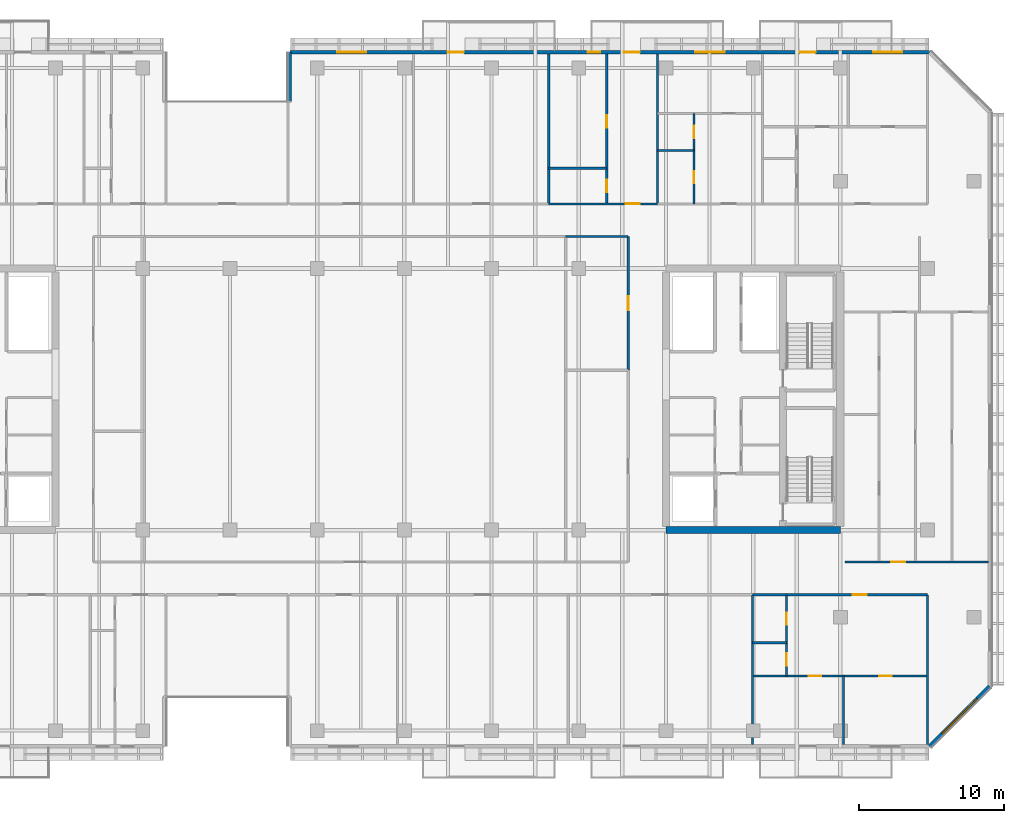
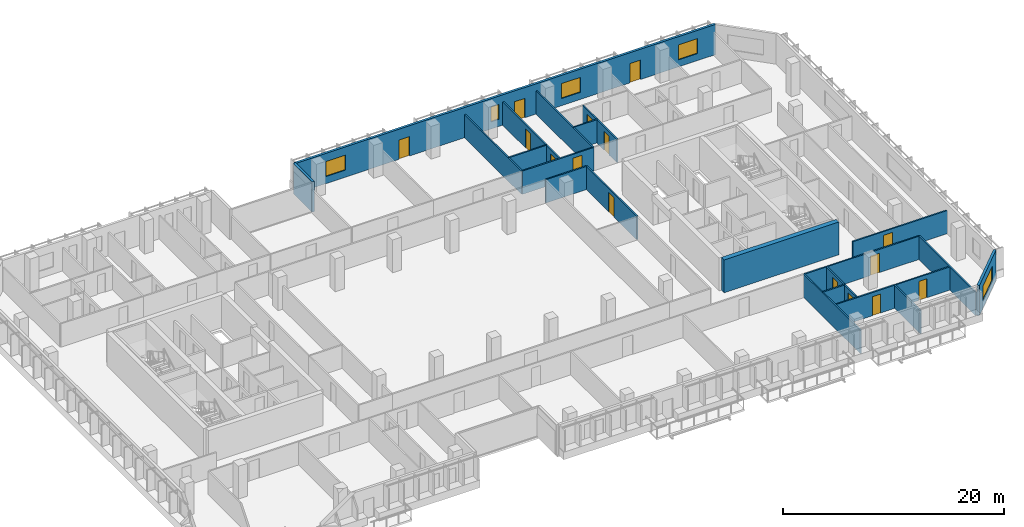
# One storey, part 14 of 23: 21 walls, 15 doors, 5 windows, 20 openings.
"""IFC4 building model written with IfcOpenShell, lengths in metres."""

from ifc_helpers import new_model, si_unit, direction, frame, frame_2d, origin, place, context, subcontext, project, spatial, rectangle, extrude, material, layer, layer_set, type_object, element, fill, save


model = new_model("IFC4")

# Units and contexts
model_context = context("Model", 3, precision=1e-05, world=origin(), true_north=direction((0.0, 1.0)))
body_context = subcontext(model_context, "Body", "Model", "MODEL_VIEW")
ifc_project = project(units=[si_unit("LENGTHUNIT", "METRE"), si_unit("AREAUNIT", "SQUARE_METRE"), si_unit("VOLUMEUNIT", "CUBIC_METRE"), si_unit("PLANEANGLEUNIT", "RADIAN"), si_unit("MASSUNIT", "GRAM", prefix="KILO")], contexts=[model_context])

# Site, building, storey
site_placement = place(None, origin())
site = spatial("IfcSite", under=ifc_project, at=site_placement, CompositionType="ELEMENT")
building_placement = place(site_placement, origin())
building = spatial("IfcBuilding", under=site, at=building_placement, Name="Tanjung Sevakor Pilgrim Tower", CompositionType="ELEMENT")
storey_placement = place(building_placement, frame((0.0, 0.0, 119.4599609375)))
storey = spatial("IfcBuildingStorey", under=building, at=storey_placement, Name="L33", CompositionType="ELEMENT", Elevation=119.4599609375)

# Walls
ifc_material_1 = material(Name="Concrete C60/75", Category="concrete")
ifc_layer_1 = layer(ifc_material_1, 0.5)
ifc_layer_set_1 = layer_set([ifc_layer_1], Name="WALL-CW-500")
wall_type_1 = type_object("IfcWallType", Name="WALL-CW-500", PredefinedType="SHEAR", material=ifc_layer_set_1)
wall_1_placement = place(storey_placement, frame((78.0, 24.60009765625, 0.0), z_axis=(0.0, 0.0, 1.0), x_axis=(1.0, 0.0, 0.0)))
element("IfcWall", 1, at=wall_1_placement, inside=storey, type_object=wall_type_1, Name="L33 E Core South Shear Wall", PredefinedType="SHEAR", context=body_context, shape_type="SweptSolid", body=[
    extrude(rectangle(XDim=12.0, YDim=0.5, at=frame_2d((6.0, 0.0))), origin(), (0.0, 0.0, 1.0), 3.630126953125),
])
ifc_material_2 = material(Name="Concrete C40/50", Category="concrete")
ifc_layer_2 = layer(ifc_material_2, 0.14990234375)
ifc_layer_set_2 = layer_set([ifc_layer_2], Name="WT-COMP-150")
wall_type_2 = type_object("IfcWallType", Name="WT-COMP-150", PredefinedType="SOLIDWALL", material=ifc_layer_set_2)
wall_2_placement = place(storey_placement, frame((71.10009765625, 44.800048828125, 0.0), z_axis=(0.0, 0.0, 1.0), x_axis=(1.0, 0.0, 0.0)))
element("IfcWall", 2, at=wall_2_placement, inside=storey, type_object=wall_type_2, Name="L33 Partition IW-L33-037", PredefinedType="SOLIDWALL", context=body_context, shape_type="SweptSolid", body=[
    extrude(rectangle(XDim=4.2998046875, YDim=0.14990234375, at=frame_2d((2.14990234375, 0.0))), origin(), (0.0, 0.0, 1.0), 2.570068359375),
])

# Wall, opening, door
wall_3_placement = place(storey_placement, frame((75.39990234375, 35.60009765625, 0.0), z_axis=(0.0, 0.0, 1.0), x_axis=(0.0, 1.0, 0.0)))
wall_3 = element("IfcWall", 3, at=wall_3_placement, inside=storey, type_object=wall_type_2, Name="L33 Partition IW-L33-038", PredefinedType="SOLIDWALL", context=body_context, shape_type="SweptSolid", body=[
    extrude(rectangle(XDim=9.199951171875, YDim=0.14990234375, at=frame_2d((4.60009765625, 0.0))), origin(), (0.0, 0.0, 1.0), 2.570068359375),
])
opening_1_placement = place(wall_3_placement, frame((4.125, 0.0, 0.0)))
opening_1 = element("IfcOpeningElement", 4, at=opening_1_placement, cuts=wall_3, Name="Opening ID-RM1", PredefinedType="OPENING", context=body_context, shape_type="SweptSolid", body=[
    extrude(rectangle(XDim=0.949951171875, YDim=2.14990234375, at=frame_2d((0.47509765625, 1.074951171875))), frame((0.0, 0.0849609375, 0.0), z_axis=(0.0, -1.0, 0.0), x_axis=(1.0, 0.0, 0.0)), (0.0, 0.0, 1.0), 0.169921875),
])
ifc_material_3 = material(Name="Hardwood Timber", Category="wood")
door_type_1 = type_object("IfcDoorType", Name="DT-INT-950", OperationType="NOTDEFINED", PredefinedType="DOOR", material=ifc_material_3)
door_1_placement = place(opening_1_placement, origin())
door_1 = element("IfcDoor", 5, at=door_1_placement, inside=storey, type_object=door_type_1, Name="L33 Female Washroom Door", OperationType="SINGLE_SWING_LEFT", OverallHeight=2.14990234375, OverallWidth=0.949951171875, PredefinedType="DOOR", context=body_context, shape_type="SweptSolid", body=[
    extrude(rectangle(XDim=0.949951171875, YDim=2.14990234375, at=frame_2d((0.47509765625, 1.074951171875))), frame((0.0, 0.02490234375, 0.0), z_axis=(0.0, -1.0, 0.0), x_axis=(1.0, 0.0, 0.0)), (0.0, 0.0, 1.0), 0.050048828125),
])
fill(opening_1, door_1)

wall_4_placement = place(storey_placement, frame((90.320068359375, 22.39990234375, 0.0), z_axis=(0.0, 0.0, 1.0), x_axis=(1.0, 0.0, 0.0)))
wall_4 = element("IfcWall", 6, at=wall_4_placement, inside=storey, type_object=wall_type_2, Name="L33 Partition IW-L33-046", PredefinedType="SOLIDWALL", context=body_context, shape_type="SweptSolid", body=[
    extrude(rectangle(XDim=9.869873046875, YDim=0.14990234375, at=frame_2d((4.93505859375, 0.0))), origin(), (0.0, 0.0, 1.0), 2.570068359375),
])
opening_2_placement = place(wall_4_placement, frame((3.193359375, 0.0, 0.0)))
opening_2 = element("IfcOpeningElement", 7, at=opening_2_placement, cuts=wall_4, Name="Opening ID-FD2", PredefinedType="OPENING", context=body_context, shape_type="SweptSolid", body=[
    extrude(rectangle(XDim=0.949951171875, YDim=2.14990234375, at=frame_2d((0.47509765625, 1.074951171875))), frame((0.0, 0.0849609375, 0.0), z_axis=(0.0, -1.0, 0.0), x_axis=(1.0, 0.0, 0.0)), (0.0, 0.0, 1.0), 0.169921875),
])
ifc_material_4 = material(Name="Fire-Rated Timber", Category="wood")
door_type_2 = type_object("IfcDoorType", Name="DT-FIRE-950", OperationType="NOTDEFINED", PredefinedType="DOOR", material=ifc_material_4)
door_2_placement = place(opening_2_placement, origin())
door_2 = element("IfcDoor", 8, at=door_2_placement, inside=storey, type_object=door_type_2, Name="Suite Entrance", OperationType="SINGLE_SWING_LEFT", OverallHeight=2.14990234375, OverallWidth=0.949951171875, PredefinedType="DOOR", context=body_context, shape_type="SweptSolid", body=[
    extrude(rectangle(XDim=0.949951171875, YDim=2.14990234375, at=frame_2d((0.47509765625, 1.074951171875))), frame((0.0, 0.02490234375, 0.0), z_axis=(0.0, -1.0, 0.0), x_axis=(1.0, 0.0, 0.0)), (0.0, 0.0, 1.0), 0.050048828125),
])
fill(opening_2, door_2)

# Walls
for number, where, z_axis, x_axis, name in (
    (9, (96.0, 9.85009765625, 0.0), (0.0, 0.0, 1.0), (0.0, 1.0, 0.0), "L33 Partition IW-L33-061"),
    (10, (83.948486328125, 9.85009765625, 0.0), (0.0, 0.0, 1.0), (0.0, 1.0, 0.0), "L33 Partition IW-L33-066"),
):
    element("IfcWall", number, at=place(storey_placement, frame(where, z_axis=z_axis, x_axis=x_axis)), inside=storey, type_object=wall_type_2, Name=name, PredefinedType="SOLIDWALL", context=body_context, shape_type="SweptSolid", body=[
        extrude(rectangle(XDim=10.2998046875, YDim=0.14990234375, at=frame_2d((5.14990234375, 0.0))), origin(), (0.0, 0.0, 1.0), 2.570068359375),
    ])

# Wall, opening, door
wall_5_placement = place(storey_placement, frame((83.948486328125, 20.14990234375, 0.0), z_axis=(0.0, 0.0, 1.0), x_axis=(1.0, 0.0, 0.0)))
wall_5 = element("IfcWall", 11, at=wall_5_placement, inside=storey, type_object=wall_type_2, Name="L33 Partition IW-L33-072", PredefinedType="SOLIDWALL", context=body_context, shape_type="SweptSolid", body=[
    extrude(rectangle(XDim=12.051513671875, YDim=0.14990234375, at=frame_2d((6.02587890625, 0.0))), origin(), (0.0, 0.0, 1.0), 2.570068359375),
])
opening_3_placement = place(wall_5_placement, frame((6.915771484375, 0.0, 0.0)))
opening_3 = element("IfcOpeningElement", 12, at=opening_3_placement, cuts=wall_5, Name="Opening ID-FD2", PredefinedType="OPENING", context=body_context, shape_type="SweptSolid", body=[
    extrude(rectangle(XDim=0.949951171875, YDim=2.14990234375, at=frame_2d((0.47509765625, 1.074951171875))), frame((0.0, 0.0849609375, 0.0), z_axis=(0.0, -1.0, 0.0), x_axis=(1.0, 0.0, 0.0)), (0.0, 0.0, 1.0), 0.169921875),
])
door_3_placement = place(opening_3_placement, origin())
door_3 = element("IfcDoor", 13, at=door_3_placement, inside=storey, type_object=door_type_2, Name="Suite Entrance", OperationType="SINGLE_SWING_RIGHT", OverallHeight=2.14990234375, OverallWidth=0.949951171875, PredefinedType="DOOR", context=body_context, shape_type="SweptSolid", body=[
    extrude(rectangle(XDim=0.949951171875, YDim=2.14990234375, at=frame_2d((0.47509765625, 1.074951171875))), frame((0.0, 0.02490234375, 0.0), z_axis=(0.0, -1.0, 0.0), x_axis=(1.0, 0.0, 0.0)), (0.0, 0.0, 1.0), 0.050048828125),
])
fill(opening_3, door_3)

# Walls
for number, where, z_axis, x_axis, name in (
    (14, (69.93017578125, 47.050048828125, 0.0), (0.0, 0.0, 1.0), (0.0, 1.0, 0.0), "L33 Partition IW-L33-090"),
    (15, (77.41552734375, 47.050048828125, 0.0), (0.0, 0.0, 1.0), (0.0, 1.0, 0.0), "L33 Partition IW-L33-092"),
):
    element("IfcWall", number, at=place(storey_placement, frame(where, z_axis=z_axis, x_axis=x_axis)), inside=storey, type_object=wall_type_2, Name=name, PredefinedType="SOLIDWALL", context=body_context, shape_type="SweptSolid", body=[
        extrude(rectangle(XDim=10.300048828125, YDim=0.14990234375, at=frame_2d((5.14990234375, 0.0))), origin(), (0.0, 0.0, 1.0), 2.570068359375),
    ])

# Wall, opening, door
wall_6_placement = place(storey_placement, frame((69.93017578125, 47.050048828125, 0.0), z_axis=(0.0, 0.0, 1.0), x_axis=(1.0, 0.0, 0.0)))
wall_6 = element("IfcWall", 16, at=wall_6_placement, inside=storey, type_object=wall_type_2, Name="L33 Partition IW-L33-095", PredefinedType="SOLIDWALL", context=body_context, shape_type="SweptSolid", body=[
    extrude(rectangle(XDim=7.4853515625, YDim=0.14990234375, at=frame_2d((3.74267578125, 0.0))), origin(), (0.0, 0.0, 1.0), 2.570068359375),
])
opening_4_placement = place(wall_6_placement, frame((5.302490234375, 0.0, 0.0)))
opening_4 = element("IfcOpeningElement", 17, at=opening_4_placement, cuts=wall_6, Name="Opening ID-FD2", PredefinedType="OPENING", context=body_context, shape_type="SweptSolid", body=[
    extrude(rectangle(XDim=0.949951171875, YDim=2.14990234375, at=frame_2d((0.47509765625, 1.074951171875))), frame((0.0, 0.0849609375, 0.0), z_axis=(0.0, -1.0, 0.0), x_axis=(1.0, 0.0, 0.0)), (0.0, 0.0, 1.0), 0.169921875),
])
door_4_placement = place(opening_4_placement, origin())
door_4 = element("IfcDoor", 18, at=door_4_placement, inside=storey, type_object=door_type_2, Name="Hostel Quad Entrance", OperationType="SINGLE_SWING_RIGHT", OverallHeight=2.14990234375, OverallWidth=0.949951171875, PredefinedType="DOOR", context=body_context, shape_type="SweptSolid", body=[
    extrude(rectangle(XDim=0.949951171875, YDim=2.14990234375, at=frame_2d((0.47509765625, 1.074951171875))), frame((0.0, 0.02490234375, 0.0), z_axis=(0.0, -1.0, 0.0), x_axis=(1.0, 0.0, 0.0)), (0.0, 0.0, 1.0), 0.050048828125),
])
fill(opening_4, door_4)

# Wall, opening, window
ifc_material_5 = material(Name="Precast concrete C45/55", Category="concrete")
ifc_layer_3 = layer(ifc_material_5, 0.25)
ifc_layer_set_3 = layer_set([ifc_layer_3], Name="WT-EW-STN3")
wall_type_3 = type_object("IfcWallType", Name="WT-EW-STN3", PredefinedType="SOLIDWALL", material=ifc_layer_set_3)
wall_7_placement = place(storey_placement, frame((96.148193359375, 9.72509765625, 0.0), z_axis=(0.0, 0.0, 1.0), x_axis=(0.707106781187, 0.707106781187, 0.0)))
wall_7 = element("IfcWall", 19, at=wall_7_placement, inside=storey, type_object=wall_type_3, Name="L33 MAIN Sculpted Corner Wall 5", PredefinedType="SOLIDWALL", context=body_context, shape_type="SweptSolid", body=[
    extrude(rectangle(XDim=5.8359375, YDim=0.25, at=frame_2d((2.91796875, 0.0))), origin(), (0.0, 0.0, 1.0), 3.35009765625),
])
opening_5_placement = place(wall_7_placement, frame((1.218017578125, 0.0, 0.780029296875)))
opening_5 = element("IfcOpeningElement", 20, at=opening_5_placement, cuts=wall_7, Name="Opening WN-CHM-1660", PredefinedType="OPENING", context=body_context, shape_type="SweptSolid", body=[
    extrude(rectangle(XDim=3.39990234375, YDim=1.659912109375, at=frame_2d((1.699951171875, 0.830078125))), frame((0.0, 0.135009765625, 0.0), z_axis=(0.0, -1.0, 0.0), x_axis=(1.0, 0.0, 0.0)), (0.0, 0.0, 1.0), 0.27001953125),
])
ifc_material_6 = material(Name="Thermally Broken Aluminium and Low-E Glass", Category="aluminium")
window_type_1 = type_object("IfcWindowType", Name="WTYP-WN-CHM-1660", PartitioningType="DOUBLE_PANEL_VERTICAL", PredefinedType="WINDOW", material=ifc_material_6)
window_1_placement = place(opening_5_placement, origin())
window_1 = element("IfcWindow", 21, at=window_1_placement, inside=storey, type_object=window_type_1, Name="L33 Facade Window 01", OverallHeight=1.659912109375, OverallWidth=3.39990234375, PartitioningType="SINGLE_PANEL", PredefinedType="WINDOW", context=body_context, shape_type="SweptSolid", body=[
    extrude(rectangle(XDim=3.39990234375, YDim=1.659912109375, at=frame_2d((1.699951171875, 0.830078125))), frame((0.0, 0.030029296875, 0.0), z_axis=(0.0, -1.0, 0.0), x_axis=(1.0, 0.0, 0.0)), (0.0, 0.0, 1.0), 0.06005859375),
])
fill(opening_5, window_1)

# Wall, openings, doors, windows
wall_8_placement = place(storey_placement, frame((96.148193359375, 57.47509765625, 0.0), z_axis=(0.0, 0.0, 1.0), x_axis=(-1.0, 0.0, 0.0)))
wall_8 = element("IfcWall", 22, at=wall_8_placement, inside=storey, type_object=wall_type_3, Name="L33 MAIN Exterior Wall 9", PredefinedType="SOLIDWALL", context=body_context, shape_type="SweptSolid", body=[
    extrude(rectangle(XDim=44.023193359375, YDim=0.25, at=frame_2d((22.01171875, 0.0))), origin(), (0.0, 0.0, 1.0), 3.35009765625),
])
opening_6_placement = place(wall_8_placement, frame((32.048095703125, 0.0, 0.0)))
opening_6 = element("IfcOpeningElement", 23, at=opening_6_placement, cuts=wall_8, Name="Opening ED-BAL-1100", PredefinedType="OPENING", context=body_context, shape_type="SweptSolid", body=[
    extrude(rectangle(XDim=1.10009765625, YDim=2.14990234375, at=frame_2d((0.550048828125, 1.074951171875))), frame((0.0, 0.135009765625, 0.0), z_axis=(0.0, -1.0, 0.0), x_axis=(1.0, 0.0, 0.0)), (0.0, 0.0, 1.0), 0.27001953125),
])
opening_7_placement = place(wall_8_placement, frame((19.9482421875, 0.0, 0.0)))
opening_7 = element("IfcOpeningElement", 24, at=opening_7_placement, cuts=wall_8, Name="Opening ED-BAL-1100", PredefinedType="OPENING", context=body_context, shape_type="SweptSolid", body=[
    extrude(rectangle(XDim=1.10009765625, YDim=2.14990234375, at=frame_2d((0.550048828125, 1.074951171875))), frame((0.0, 0.135009765625, 0.0), z_axis=(0.0, -1.0, 0.0), x_axis=(1.0, 0.0, 0.0)), (0.0, 0.0, 1.0), 0.27001953125),
])
opening_8_placement = place(wall_8_placement, frame((7.84814453125, 0.0, 0.0)))
opening_8 = element("IfcOpeningElement", 25, at=opening_8_placement, cuts=wall_8, Name="Opening ED-BAL-1100", PredefinedType="OPENING", context=body_context, shape_type="SweptSolid", body=[
    extrude(rectangle(XDim=1.10009765625, YDim=2.14990234375, at=frame_2d((0.550048828125, 1.074951171875))), frame((0.0, 0.135009765625, 0.0), z_axis=(0.0, -1.0, 0.0), x_axis=(1.0, 0.0, 0.0)), (0.0, 0.0, 1.0), 0.27001953125),
])
opening_9_placement = place(wall_8_placement, frame((38.769287109375, 0.0, 0.780029296875)))
opening_9 = element("IfcOpeningElement", 26, at=opening_9_placement, cuts=wall_8, Name="Opening WN-Z2-1660", PredefinedType="OPENING", context=body_context, shape_type="SweptSolid", body=[
    extrude(rectangle(XDim=2.0, YDim=1.659912109375, at=frame_2d((1.0, 0.830078125))), frame((0.0, 0.135009765625, 0.0), z_axis=(0.0, -1.0, 0.0), x_axis=(1.0, 0.0, 0.0)), (0.0, 0.0, 1.0), 0.27001953125),
])
opening_10_placement = place(wall_8_placement, frame((22.668212890625, 0.0, 0.780029296875)))
opening_10 = element("IfcOpeningElement", 27, at=opening_10_placement, cuts=wall_8, Name="Opening WN-SLM", PredefinedType="OPENING", context=body_context, shape_type="SweptSolid", body=[
    extrude(rectangle(XDim=0.85009765625, YDim=1.64990234375, at=frame_2d((0.425048828125, 0.824951171875))), frame((0.0, 0.135009765625, 0.0), z_axis=(0.0, -1.0, 0.0), x_axis=(1.0, 0.0, 0.0)), (0.0, 0.0, 1.0), 0.27001953125),
])
opening_11_placement = place(wall_8_placement, frame((14.119140625, 0.0, 0.780029296875)))
opening_11 = element("IfcOpeningElement", 28, at=opening_11_placement, cuts=wall_8, Name="Opening WN-Z2-1660", PredefinedType="OPENING", context=body_context, shape_type="SweptSolid", body=[
    extrude(rectangle(XDim=2.0, YDim=1.659912109375, at=frame_2d((1.0, 0.830078125))), frame((0.0, 0.135009765625, 0.0), z_axis=(0.0, -1.0, 0.0), x_axis=(1.0, 0.0, 0.0)), (0.0, 0.0, 1.0), 0.27001953125),
])
opening_12_placement = place(wall_8_placement, frame((1.8837890625, 0.0, 0.780029296875)))
opening_12 = element("IfcOpeningElement", 29, at=opening_12_placement, cuts=wall_8, Name="Opening WN-Z2-1660", PredefinedType="OPENING", context=body_context, shape_type="SweptSolid", body=[
    extrude(rectangle(XDim=2.0, YDim=1.659912109375, at=frame_2d((1.0, 0.830078125))), frame((0.0, 0.135009765625, 0.0), z_axis=(0.0, -1.0, 0.0), x_axis=(1.0, 0.0, 0.0)), (0.0, 0.0, 1.0), 0.27001953125),
])
ifc_material_7 = material(Name="Anodised Aluminium and Laminated Glass", Category="aluminium")
door_type_3 = type_object("IfcDoorType", Name="DTYP-ED-BAL-1100", OperationType="NOTDEFINED", PredefinedType="DOOR", material=ifc_material_7)
door_5_placement = place(opening_6_placement, frame((1.10009765625, 0.0, 0.0), z_axis=(0.0, 0.0, 1.0), x_axis=(-1.0, 0.0, 0.0)))
door_5 = element("IfcDoor", 30, at=door_5_placement, inside=storey, type_object=door_type_3, Name="L33 Balcony Door MAIN-N2", OperationType="SINGLE_SWING_RIGHT", OverallHeight=2.14990234375, OverallWidth=1.10009765625, PredefinedType="DOOR", context=body_context, shape_type="SweptSolid", body=[
    extrude(rectangle(XDim=1.10009765625, YDim=2.14990234375, at=frame_2d((0.550048828125, 1.074951171875))), frame((0.0, 0.02490234375, 0.0), z_axis=(0.0, -1.0, 0.0), x_axis=(1.0, 0.0, 0.0)), (0.0, 0.0, 1.0), 0.050048828125),
])
fill(opening_6, door_5)
door_6_placement = place(opening_7_placement, frame((1.10009765625, 0.0, 0.0), z_axis=(0.0, 0.0, 1.0), x_axis=(-1.0, 0.0, 0.0)))
door_6 = element("IfcDoor", 31, at=door_6_placement, inside=storey, type_object=door_type_3, Name="L33 Balcony Door MAIN-N3", OperationType="SINGLE_SWING_LEFT", OverallHeight=2.14990234375, OverallWidth=1.10009765625, PredefinedType="DOOR", context=body_context, shape_type="SweptSolid", body=[
    extrude(rectangle(XDim=1.10009765625, YDim=2.14990234375, at=frame_2d((0.550048828125, 1.074951171875))), frame((0.0, 0.02490234375, 0.0), z_axis=(0.0, -1.0, 0.0), x_axis=(1.0, 0.0, 0.0)), (0.0, 0.0, 1.0), 0.050048828125),
])
fill(opening_7, door_6)
door_7_placement = place(opening_8_placement, frame((1.10009765625, 0.0, 0.0), z_axis=(0.0, 0.0, 1.0), x_axis=(-1.0, 0.0, 0.0)))
door_7 = element("IfcDoor", 32, at=door_7_placement, inside=storey, type_object=door_type_3, Name="L33 Balcony Door MAIN-N4", OperationType="SINGLE_SWING_RIGHT", OverallHeight=2.14990234375, OverallWidth=1.10009765625, PredefinedType="DOOR", context=body_context, shape_type="SweptSolid", body=[
    extrude(rectangle(XDim=1.10009765625, YDim=2.14990234375, at=frame_2d((0.550048828125, 1.074951171875))), frame((0.0, 0.02490234375, 0.0), z_axis=(0.0, -1.0, 0.0), x_axis=(1.0, 0.0, 0.0)), (0.0, 0.0, 1.0), 0.050048828125),
])
fill(opening_8, door_7)
ifc_material_8 = material(Name="Thermally Broken Aluminium and Low-E Glass", Category="aluminium")
window_type_2 = type_object("IfcWindowType", Name="WTYP-WN-SLM", PartitioningType="SINGLE_PANEL", PredefinedType="WINDOW", material=ifc_material_8)
window_2_placement = place(opening_10_placement, origin())
window_2 = element("IfcWindow", 33, at=window_2_placement, inside=storey, type_object=window_type_2, Name="L33 Facade Window 02", OverallHeight=1.64990234375, OverallWidth=0.85009765625, PartitioningType="SINGLE_PANEL", PredefinedType="WINDOW", context=body_context, shape_type="SweptSolid", body=[
    extrude(rectangle(XDim=0.85009765625, YDim=1.64990234375, at=frame_2d((0.425048828125, 0.824951171875))), frame((0.0, 0.030029296875, 0.0), z_axis=(0.0, -1.0, 0.0), x_axis=(1.0, 0.0, 0.0)), (0.0, 0.0, 1.0), 0.06005859375),
])
fill(opening_10, window_2)
ifc_material_9 = material(Name="Thermally Broken Aluminium and Low-E Glass", Category="aluminium")
window_type_3 = type_object("IfcWindowType", Name="WTYP-WN-Z2-1660", PartitioningType="DOUBLE_PANEL_VERTICAL", PredefinedType="WINDOW", material=ifc_material_9)
window_3_placement = place(opening_9_placement, origin())
window_3 = element("IfcWindow", 34, at=window_3_placement, inside=storey, type_object=window_type_3, Name="L33 Facade Window 01", OverallHeight=1.659912109375, OverallWidth=2.0, PartitioningType="SINGLE_PANEL", PredefinedType="WINDOW", context=body_context, shape_type="SweptSolid", body=[
    extrude(rectangle(XDim=2.0, YDim=1.659912109375, at=frame_2d((1.0, 0.830078125))), frame((0.0, 0.030029296875, 0.0), z_axis=(0.0, -1.0, 0.0), x_axis=(1.0, 0.0, 0.0)), (0.0, 0.0, 1.0), 0.06005859375),
])
fill(opening_9, window_3)
window_4_placement = place(opening_11_placement, origin())
window_4 = element("IfcWindow", 35, at=window_4_placement, inside=storey, type_object=window_type_3, Name="L33 Facade Window 03", OverallHeight=1.659912109375, OverallWidth=2.0, PartitioningType="SINGLE_PANEL", PredefinedType="WINDOW", context=body_context, shape_type="SweptSolid", body=[
    extrude(rectangle(XDim=2.0, YDim=1.659912109375, at=frame_2d((1.0, 0.830078125))), frame((0.0, 0.030029296875, 0.0), z_axis=(0.0, -1.0, 0.0), x_axis=(1.0, 0.0, 0.0)), (0.0, 0.0, 1.0), 0.06005859375),
])
fill(opening_11, window_4)
window_5_placement = place(opening_12_placement, origin())
window_5 = element("IfcWindow", 36, at=window_5_placement, inside=storey, type_object=window_type_3, Name="L33 Facade Window 04", OverallHeight=1.659912109375, OverallWidth=2.0, PartitioningType="SINGLE_PANEL", PredefinedType="WINDOW", context=body_context, shape_type="SweptSolid", body=[
    extrude(rectangle(XDim=2.0, YDim=1.659912109375, at=frame_2d((1.0, 0.830078125))), frame((0.0, 0.030029296875, 0.0), z_axis=(0.0, -1.0, 0.0), x_axis=(1.0, 0.0, 0.0)), (0.0, 0.0, 1.0), 0.06005859375),
])
fill(opening_12, window_5)

# Walls
wall_9_placement = place(storey_placement, frame((52.125, 57.47509765625, 0.0), z_axis=(0.0, 0.0, 1.0), x_axis=(0.0, -1.0, 0.0)))
element("IfcWall", 37, at=wall_9_placement, inside=storey, type_object=wall_type_3, Name="L33 MAIN Exterior Wall 10", PredefinedType="SOLIDWALL", context=body_context, shape_type="SweptSolid", body=[
    extrude(rectangle(XDim=3.400146484375, YDim=0.25, at=frame_2d((1.7001953125, 0.0))), origin(), (0.0, 0.0, 1.0), 3.35009765625),
])
ifc_material_10 = material(Name="Gypsum Board Partition", Category="gypsum board")
ifc_layer_4 = layer(ifc_material_10, 0.14990234375)
ifc_layer_set_4 = layer_set([ifc_layer_4], Name="WT-PART-150")
wall_type_4 = type_object("IfcWallType", Name="WT-PART-150", PredefinedType="PARTITIONING", material=ifc_layer_set_4)
wall_10_placement = place(storey_placement, frame((83.948486328125, 16.850341796875, 0.0), z_axis=(0.0, 0.0, 1.0), x_axis=(1.0, 0.0, 0.0)))
element("IfcWall", 38, at=wall_10_placement, inside=storey, type_object=wall_type_4, Name="L33 Partition IW-L33-068", PredefinedType="PARTITIONING", context=body_context, shape_type="SweptSolid", body=[
    extrude(rectangle(XDim=2.349853515625, YDim=0.14990234375, at=frame_2d((1.1748046875, 0.0))), origin(), (0.0, 0.0, 1.0), 2.570068359375),
])

# Wall, openings, doors
wall_11_placement = place(storey_placement, frame((86.29833984375, 14.557373046875, 0.0), z_axis=(0.0, 0.0, 1.0), x_axis=(0.0, 1.0, 0.0)))
wall_11 = element("IfcWall", 39, at=wall_11_placement, inside=storey, type_object=wall_type_4, Name="L33 Partition IW-L33-069", PredefinedType="PARTITIONING", context=body_context, shape_type="SweptSolid", body=[
    extrude(rectangle(XDim=5.592529296875, YDim=0.14990234375, at=frame_2d((2.79638671875, 0.0))), origin(), (0.0, 0.0, 1.0), 2.570068359375),
])
opening_13_placement = place(wall_11_placement, frame((0.721435546875, 0.0, 0.0)))
opening_13 = element("IfcOpeningElement", 40, at=opening_13_placement, cuts=wall_11, Name="Opening ID-WC1", PredefinedType="OPENING", context=body_context, shape_type="SweptSolid", body=[
    extrude(rectangle(XDim=0.85009765625, YDim=2.10009765625, at=frame_2d((0.425048828125, 1.050048828125))), frame((0.0, 0.0849609375, 0.0), z_axis=(0.0, -1.0, 0.0), x_axis=(1.0, 0.0, 0.0)), (0.0, 0.0, 1.0), 0.169921875),
])
opening_14_placement = place(wall_11_placement, frame((3.517822265625, 0.0, 0.0)))
opening_14 = element("IfcOpeningElement", 41, at=opening_14_placement, cuts=wall_11, Name="Opening ID-WC1", PredefinedType="OPENING", context=body_context, shape_type="SweptSolid", body=[
    extrude(rectangle(XDim=0.85009765625, YDim=2.10009765625, at=frame_2d((0.425048828125, 1.050048828125))), frame((0.0, 0.0849609375, 0.0), z_axis=(0.0, -1.0, 0.0), x_axis=(1.0, 0.0, 0.0)), (0.0, 0.0, 1.0), 0.169921875),
])
ifc_material_11 = material(Name="Moisture-Resistant Timber", Category="wood")
door_type_4 = type_object("IfcDoorType", Name="DT-INT-850", OperationType="NOTDEFINED", PredefinedType="DOOR", material=ifc_material_11)
door_8_placement = place(opening_13_placement, origin())
door_8 = element("IfcDoor", 42, at=door_8_placement, inside=storey, type_object=door_type_4, Name="Suite Bathroom Door", OperationType="SINGLE_SWING_RIGHT", OverallHeight=2.10009765625, OverallWidth=0.85009765625, PredefinedType="DOOR", context=body_context, shape_type="SweptSolid", body=[
    extrude(rectangle(XDim=0.85009765625, YDim=2.10009765625, at=frame_2d((0.425048828125, 1.050048828125))), frame((0.0, 0.02490234375, 0.0), z_axis=(0.0, -1.0, 0.0), x_axis=(1.0, 0.0, 0.0)), (0.0, 0.0, 1.0), 0.050048828125),
])
fill(opening_13, door_8)
door_9_placement = place(opening_14_placement, origin())
door_9 = element("IfcDoor", 43, at=door_9_placement, inside=storey, type_object=door_type_4, Name="Suite Kitchenette Door", OperationType="SINGLE_SWING_LEFT", OverallHeight=2.10009765625, OverallWidth=0.85009765625, PredefinedType="DOOR", context=body_context, shape_type="SweptSolid", body=[
    extrude(rectangle(XDim=0.85009765625, YDim=2.10009765625, at=frame_2d((0.425048828125, 1.050048828125))), frame((0.0, 0.02490234375, 0.0), z_axis=(0.0, -1.0, 0.0), x_axis=(1.0, 0.0, 0.0)), (0.0, 0.0, 1.0), 0.050048828125),
])
fill(opening_14, door_9)

# Wall
wall_12_placement = place(storey_placement, frame((90.215087890625, 9.85009765625, 0.0), z_axis=(0.0, 0.0, 1.0), x_axis=(0.0, 1.0, 0.0)))
element("IfcWall", 44, at=wall_12_placement, inside=storey, type_object=wall_type_4, Name="L33 Partition IW-L33-070", PredefinedType="PARTITIONING", context=body_context, shape_type="SweptSolid", body=[
    extrude(rectangle(XDim=4.707275390625, YDim=0.14990234375, at=frame_2d((2.353515625, 0.0))), origin(), (0.0, 0.0, 1.0), 2.570068359375),
])

# Wall, openings, doors
wall_13_placement = place(storey_placement, frame((83.948486328125, 14.557373046875, 0.0), z_axis=(0.0, 0.0, 1.0), x_axis=(1.0, 0.0, 0.0)))
wall_13 = element("IfcWall", 45, at=wall_13_placement, inside=storey, type_object=wall_type_4, Name="L33 Partition IW-L33-071", PredefinedType="PARTITIONING", context=body_context, shape_type="SweptSolid", body=[
    extrude(rectangle(XDim=12.051513671875, YDim=0.14990234375, at=frame_2d((6.02587890625, 0.0))), origin(), (0.0, 0.0, 1.0), 2.570068359375),
])
opening_15_placement = place(wall_13_placement, frame((3.88330078125, 0.0, 0.0)))
opening_15 = element("IfcOpeningElement", 46, at=opening_15_placement, cuts=wall_13, Name="Opening ID-WC1", PredefinedType="OPENING", context=body_context, shape_type="SweptSolid", body=[
    extrude(rectangle(XDim=0.85009765625, YDim=2.10009765625, at=frame_2d((0.425048828125, 1.050048828125))), frame((0.0, 0.0849609375, 0.0), z_axis=(0.0, -1.0, 0.0), x_axis=(1.0, 0.0, 0.0)), (0.0, 0.0, 1.0), 0.169921875),
])
opening_16_placement = place(wall_13_placement, frame((8.734130859375, 0.0, 0.0)))
opening_16 = element("IfcOpeningElement", 47, at=opening_16_placement, cuts=wall_13, Name="Opening ID-WC1", PredefinedType="OPENING", context=body_context, shape_type="SweptSolid", body=[
    extrude(rectangle(XDim=0.85009765625, YDim=2.10009765625, at=frame_2d((0.425048828125, 1.050048828125))), frame((0.0, 0.0849609375, 0.0), z_axis=(0.0, -1.0, 0.0), x_axis=(1.0, 0.0, 0.0)), (0.0, 0.0, 1.0), 0.169921875),
])
door_10_placement = place(opening_15_placement, origin())
door_10 = element("IfcDoor", 48, at=door_10_placement, inside=storey, type_object=door_type_4, Name="Suite Bedroom 1 Door", OperationType="SINGLE_SWING_RIGHT", OverallHeight=2.10009765625, OverallWidth=0.85009765625, PredefinedType="DOOR", context=body_context, shape_type="SweptSolid", body=[
    extrude(rectangle(XDim=0.85009765625, YDim=2.10009765625, at=frame_2d((0.425048828125, 1.050048828125))), frame((0.0, 0.02490234375, 0.0), z_axis=(0.0, -1.0, 0.0), x_axis=(1.0, 0.0, 0.0)), (0.0, 0.0, 1.0), 0.050048828125),
])
fill(opening_15, door_10)
door_11_placement = place(opening_16_placement, origin())
door_11 = element("IfcDoor", 49, at=door_11_placement, inside=storey, type_object=door_type_4, Name="Suite Bedroom 2 Door", OperationType="SINGLE_SWING_LEFT", OverallHeight=2.10009765625, OverallWidth=0.85009765625, PredefinedType="DOOR", context=body_context, shape_type="SweptSolid", body=[
    extrude(rectangle(XDim=0.85009765625, YDim=2.10009765625, at=frame_2d((0.425048828125, 1.050048828125))), frame((0.0, 0.02490234375, 0.0), z_axis=(0.0, -1.0, 0.0), x_axis=(1.0, 0.0, 0.0)), (0.0, 0.0, 1.0), 0.050048828125),
])
fill(opening_16, door_11)

# Wall
wall_14_placement = place(storey_placement, frame((69.93017578125, 49.5, 0.0), z_axis=(0.0, 0.0, 1.0), x_axis=(1.0, 0.0, 0.0)))
element("IfcWall", 50, at=wall_14_placement, inside=storey, type_object=wall_type_4, Name="L33 Partition IW-L33-093", PredefinedType="PARTITIONING", context=body_context, shape_type="SweptSolid", body=[
    extrude(rectangle(XDim=3.98974609375, YDim=0.14990234375, at=frame_2d((1.994873046875, 0.0))), origin(), (0.0, 0.0, 1.0), 2.570068359375),
])

# Wall, openings, doors
wall_15_placement = place(storey_placement, frame((73.919921875, 47.050048828125, 0.0), z_axis=(0.0, 0.0, 1.0), x_axis=(0.0, 1.0, 0.0)))
wall_15 = element("IfcWall", 51, at=wall_15_placement, inside=storey, type_object=wall_type_4, Name="L33 Partition IW-L33-094", PredefinedType="PARTITIONING", context=body_context, shape_type="SweptSolid", body=[
    extrude(rectangle(XDim=10.300048828125, YDim=0.14990234375, at=frame_2d((5.14990234375, 0.0))), origin(), (0.0, 0.0, 1.0), 2.570068359375),
])
opening_17_placement = place(wall_15_placement, frame((0.800048828125, 0.0, 0.0)))
opening_17 = element("IfcOpeningElement", 52, at=opening_17_placement, cuts=wall_15, Name="Opening ID-WC1", PredefinedType="OPENING", context=body_context, shape_type="SweptSolid", body=[
    extrude(rectangle(XDim=0.85009765625, YDim=2.10009765625, at=frame_2d((0.425048828125, 1.050048828125))), frame((0.0, 0.0849609375, 0.0), z_axis=(0.0, -1.0, 0.0), x_axis=(1.0, 0.0, 0.0)), (0.0, 0.0, 1.0), 0.169921875),
])
opening_18_placement = place(wall_15_placement, frame((5.25, 0.0, 0.0)))
opening_18 = element("IfcOpeningElement", 53, at=opening_18_placement, cuts=wall_15, Name="Opening ID-WC1", PredefinedType="OPENING", context=body_context, shape_type="SweptSolid", body=[
    extrude(rectangle(XDim=0.85009765625, YDim=2.10009765625, at=frame_2d((0.425048828125, 1.050048828125))), frame((0.0, 0.0849609375, 0.0), z_axis=(0.0, -1.0, 0.0), x_axis=(1.0, 0.0, 0.0)), (0.0, 0.0, 1.0), 0.169921875),
])
door_12_placement = place(opening_17_placement, origin())
door_12 = element("IfcDoor", 54, at=door_12_placement, inside=storey, type_object=door_type_4, Name="Bathroom Door", OperationType="SINGLE_SWING_RIGHT", OverallHeight=2.10009765625, OverallWidth=0.85009765625, PredefinedType="DOOR", context=body_context, shape_type="SweptSolid", body=[
    extrude(rectangle(XDim=0.85009765625, YDim=2.10009765625, at=frame_2d((0.425048828125, 1.050048828125))), frame((0.0, 0.02490234375, 0.0), z_axis=(0.0, -1.0, 0.0), x_axis=(1.0, 0.0, 0.0)), (0.0, 0.0, 1.0), 0.050048828125),
])
fill(opening_17, door_12)
door_13_placement = place(opening_18_placement, origin())
door_13 = element("IfcDoor", 55, at=door_13_placement, inside=storey, type_object=door_type_4, Name="Study Nook Door", OperationType="SINGLE_SWING_LEFT", OverallHeight=2.10009765625, OverallWidth=0.85009765625, PredefinedType="DOOR", context=body_context, shape_type="SweptSolid", body=[
    extrude(rectangle(XDim=0.85009765625, YDim=2.10009765625, at=frame_2d((0.425048828125, 1.050048828125))), frame((0.0, 0.02490234375, 0.0), z_axis=(0.0, -1.0, 0.0), x_axis=(1.0, 0.0, 0.0)), (0.0, 0.0, 1.0), 0.050048828125),
])
fill(opening_18, door_13)

# Wall
wall_16_placement = place(storey_placement, frame((77.41552734375, 50.71875, 0.0), z_axis=(0.0, 0.0, 1.0), x_axis=(1.0, 0.0, 0.0)))
element("IfcWall", 56, at=wall_16_placement, inside=storey, type_object=wall_type_4, Name="L33 Partition IW-L33-097", PredefinedType="PARTITIONING", context=body_context, shape_type="SweptSolid", body=[
    extrude(rectangle(XDim=2.50439453125, YDim=0.14990234375, at=frame_2d((1.252197265625, 0.0))), origin(), (0.0, 0.0, 1.0), 2.570068359375),
])

# Wall, openings, doors
wall_17_placement = place(storey_placement, frame((79.919921875, 47.050048828125, 0.0), z_axis=(0.0, 0.0, 1.0), x_axis=(0.0, 1.0, 0.0)))
wall_17 = element("IfcWall", 57, at=wall_17_placement, inside=storey, type_object=wall_type_4, Name="L33 Partition IW-L33-098", PredefinedType="PARTITIONING", context=body_context, shape_type="SweptSolid", body=[
    extrude(rectangle(XDim=6.21826171875, YDim=0.14990234375, at=frame_2d((3.109130859375, 0.0))), origin(), (0.0, 0.0, 1.0), 2.570068359375),
])
opening_19_placement = place(wall_17_placement, frame((1.409423828125, 0.0, 0.0)))
opening_19 = element("IfcOpeningElement", 58, at=opening_19_placement, cuts=wall_17, Name="Opening ID-WC1", PredefinedType="OPENING", context=body_context, shape_type="SweptSolid", body=[
    extrude(rectangle(XDim=0.85009765625, YDim=2.10009765625, at=frame_2d((0.425048828125, 1.050048828125))), frame((0.0, 0.0849609375, 0.0), z_axis=(0.0, -1.0, 0.0), x_axis=(1.0, 0.0, 0.0)), (0.0, 0.0, 1.0), 0.169921875),
])
opening_20_placement = place(wall_17_placement, frame((4.5185546875, 0.0, 0.0)))
opening_20 = element("IfcOpeningElement", 59, at=opening_20_placement, cuts=wall_17, Name="Opening ID-WC1", PredefinedType="OPENING", context=body_context, shape_type="SweptSolid", body=[
    extrude(rectangle(XDim=0.85009765625, YDim=2.10009765625, at=frame_2d((0.425048828125, 1.050048828125))), frame((0.0, 0.0849609375, 0.0), z_axis=(0.0, -1.0, 0.0), x_axis=(1.0, 0.0, 0.0)), (0.0, 0.0, 1.0), 0.169921875),
])
door_14_placement = place(opening_19_placement, origin())
door_14 = element("IfcDoor", 60, at=door_14_placement, inside=storey, type_object=door_type_4, Name="Residence Kitchenette Door", OperationType="SINGLE_SWING_LEFT", OverallHeight=2.10009765625, OverallWidth=0.85009765625, PredefinedType="DOOR", context=body_context, shape_type="SweptSolid", body=[
    extrude(rectangle(XDim=0.85009765625, YDim=2.10009765625, at=frame_2d((0.425048828125, 1.050048828125))), frame((0.0, 0.02490234375, 0.0), z_axis=(0.0, -1.0, 0.0), x_axis=(1.0, 0.0, 0.0)), (0.0, 0.0, 1.0), 0.050048828125),
])
fill(opening_19, door_14)
door_15_placement = place(opening_20_placement, origin())
door_15 = element("IfcDoor", 61, at=door_15_placement, inside=storey, type_object=door_type_4, Name="Residence Bathroom Door", OperationType="SINGLE_SWING_RIGHT", OverallHeight=2.10009765625, OverallWidth=0.85009765625, PredefinedType="DOOR", context=body_context, shape_type="SweptSolid", body=[
    extrude(rectangle(XDim=0.85009765625, YDim=2.10009765625, at=frame_2d((0.425048828125, 1.050048828125))), frame((0.0, 0.02490234375, 0.0), z_axis=(0.0, -1.0, 0.0), x_axis=(1.0, 0.0, 0.0)), (0.0, 0.0, 1.0), 0.050048828125),
])
fill(opening_20, door_15)

save(model, "model.ifc")
